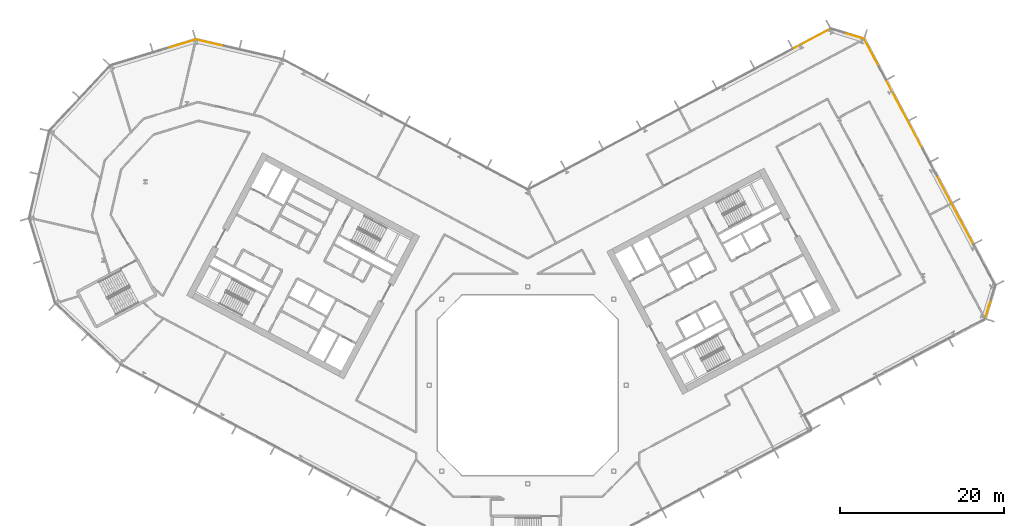
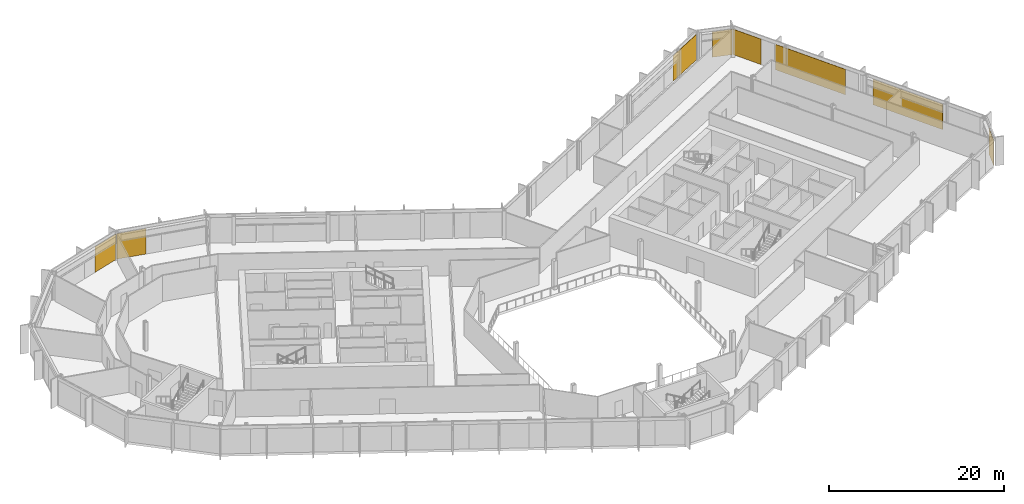
# One storey, part 28 of 28: 8 coverings, 6 elements without a shape of their own.
"""IFC4 building model written with IfcOpenShell, lengths in metres."""

from ifc_helpers import new_model, si_unit, direction, frame, origin, origin_2d, place, context, subcontext, project, spatial, rectangle, extrude, material, layer, layer_set, type_object, element, aggregate, save


model = new_model("IFC4")

# Units and contexts
model_context = context("Model", 3, precision=1e-05, world=origin(), true_north=direction((0.0, 1.0)))
body_context = subcontext(model_context, "Body", "Model", "MODEL_VIEW")
ifc_project = project(units=[si_unit("LENGTHUNIT", "METRE"), si_unit("AREAUNIT", "SQUARE_METRE"), si_unit("VOLUMEUNIT", "CUBIC_METRE"), si_unit("PLANEANGLEUNIT", "RADIAN"), si_unit("MASSUNIT", "GRAM", prefix="KILO")], contexts=[model_context])

# Site, building, storey
site_placement = place(None, origin())
site = spatial("IfcSite", under=ifc_project, at=site_placement, CompositionType="ELEMENT")
building_placement = place(site_placement, origin())
building = spatial("IfcBuilding", under=site, at=building_placement, Name="Cormorant Relay Tower", CompositionType="ELEMENT")
storey_placement = place(building_placement, frame((0.0, 0.0, 142.199951171875)))
storey = spatial("IfcBuildingStorey", under=building, at=storey_placement, Name="L29", CompositionType="ELEMENT", Elevation=142.199951171875)

# Curtain wall, covering
ifc_material_1 = material(Name="Aluminium 6063-T6 anodised bronze", Category="aluminium")
ifc_layer_1 = layer(ifc_material_1, 0.199951171875)
ifc_layer_set_1 = layer_set([ifc_layer_1], Name="CW1 unitised bronze curtain wall with vertical fins")
curtain_wall_type = type_object("IfcCurtainWallType", Name="CW1 unitised bronze curtain wall with vertical fins", PredefinedType="NOTDEFINED", material=ifc_layer_set_1)
curtain_wall_1_placement = place(storey_placement, origin())
curtain_wall_1 = element("IfcCurtainWall", 1, at=curtain_wall_1_placement, inside=storey, type_object=curtain_wall_type, Name="CW1 curtain wall 5", PredefinedType="NOTDEFINED")
ifc_material_2 = material(Name="Pale bronze anodised aluminium insulated panel", Category="aluminium")
ifc_layer_2 = layer(ifc_material_2, 0.0400390625)
ifc_layer_set_2 = layer_set([ifc_layer_2], Name="CW1 pale bronze insulated panel 40")
covering_type = type_object("IfcCoveringType", Name="CW1 pale bronze insulated panel 40", PredefinedType="CLADDING", material=ifc_layer_set_2)
covering_1_placement = place(storey_placement, frame((56.103515625, 9.303955078125, 0.0), z_axis=(0.0, 0.0, 1.0), x_axis=(0.292371704723, 0.956304755963, 0.0)))
covering_1 = element("IfcCovering", 2, at=covering_1_placement, type_object=covering_type, Name="CW1 panel S00", PredefinedType="CLADDING", context=body_context, shape_type="SweptSolid", body=[
    extrude(rectangle(XDim=2.36767578125, YDim=0.0400390625, at=origin_2d()), origin(), (0.0, 0.0, 1.0), 3.550048828125),
])
aggregate(curtain_wall_1, [covering_1])

# Curtain wall, coverings
curtain_wall_2_placement = place(storey_placement, origin())
curtain_wall_2 = element("IfcCurtainWall", 3, at=curtain_wall_2_placement, inside=storey, type_object=curtain_wall_type, Name="CW1 curtain wall 6", PredefinedType="NOTDEFINED")
covering_2_placement = place(storey_placement, frame((52.076171875, 21.384765625, 0.0), z_axis=(0.0, 0.0, 1.0), x_axis=(-0.469471562786, 0.882947592859, 0.0)))
covering_2 = element("IfcCovering", 4, at=covering_2_placement, type_object=covering_type, Name="CW1 panel S01", PredefinedType="CLADDING", context=body_context, shape_type="SweptSolid", body=[
    extrude(rectangle(XDim=9.38330078125, YDim=0.0400390625, at=origin_2d()), origin(), (0.0, 0.0, 1.0), 3.550048828125),
])
covering_3_placement = place(storey_placement, frame((45.910400390625, 32.980712890625, 0.0), z_axis=(0.0, 0.0, 1.0), x_axis=(-0.469471562786, 0.882947592859, 0.0)))
covering_3 = element("IfcCovering", 5, at=covering_3_placement, type_object=covering_type, Name="CW1 panel S04", PredefinedType="CLADDING", context=body_context, shape_type="SweptSolid", body=[
    extrude(rectangle(XDim=9.38330078125, YDim=0.0400390625, at=origin_2d()), origin(), (0.0, 0.0, 1.0), 3.550048828125),
])
covering_4_placement = place(storey_placement, frame((41.90234375, 40.518798828125, 0.0), z_axis=(0.0, 0.0, 1.0), x_axis=(-0.469471562786, 0.882947592859, 0.0)))
covering_4 = element("IfcCovering", 6, at=covering_4_placement, type_object=covering_type, Name="CW1 panel S06", PredefinedType="CLADDING", context=body_context, shape_type="SweptSolid", body=[
    extrude(rectangle(XDim=3.791748046875, YDim=0.0400390625, at=origin_2d()), origin(), (0.0, 0.0, 1.0), 3.550048828125),
])
aggregate(curtain_wall_2, [covering_2, covering_3, covering_4])

# Curtain wall, covering
curtain_wall_3_placement = place(storey_placement, origin())
curtain_wall_3 = element("IfcCurtainWall", 7, at=curtain_wall_3_placement, inside=storey, type_object=curtain_wall_type, Name="CW1 curtain wall 7", PredefinedType="NOTDEFINED")
covering_5_placement = place(storey_placement, frame((39.796630859375, 42.570556640625, 0.0), z_axis=(0.0, 0.0, 1.0), x_axis=(-0.956304755963, 0.292371704723, 0.0)))
covering_5 = element("IfcCovering", 8, at=covering_5_placement, type_object=covering_type, Name="CW1 panel S00", PredefinedType="CLADDING", context=body_context, shape_type="SweptSolid", body=[
    extrude(rectangle(XDim=2.36767578125, YDim=0.0400390625, at=origin_2d()), origin(), (0.0, 0.0, 1.0), 3.550048828125),
])
aggregate(curtain_wall_3, [covering_5])

curtain_wall_4_placement = place(storey_placement, origin())
curtain_wall_4 = element("IfcCurtainWall", 9, at=curtain_wall_4_placement, inside=storey, type_object=curtain_wall_type, Name="CW1 curtain wall 8", PredefinedType="NOTDEFINED")
covering_6_placement = place(storey_placement, frame((34.619384765625, 42.214111328125, 0.0), z_axis=(0.0, 0.0, 1.0), x_axis=(-0.882947592859, -0.469471562786, 0.0)))
covering_6 = element("IfcCovering", 10, at=covering_6_placement, type_object=covering_type, Name="CW1 panel S00", PredefinedType="CLADDING", context=body_context, shape_type="SweptSolid", body=[
    extrude(rectangle(XDim=5.079345703125, YDim=0.0400390625, at=origin_2d()), origin(), (0.0, 0.0, 1.0), 3.550048828125),
])
aggregate(curtain_wall_4, [covering_6])

curtain_wall_5_placement = place(storey_placement, origin())
curtain_wall_5 = element("IfcCurtainWall", 11, at=curtain_wall_5_placement, inside=storey, type_object=curtain_wall_type, Name="CW1 curtain wall 10", PredefinedType="NOTDEFINED")
covering_7_placement = place(storey_placement, frame((-38.7265625, 41.732421875, 0.0), z_axis=(0.0, 0.0, 1.0), x_axis=(-0.974370064785, 0.224951054344, 0.0)))
covering_7 = element("IfcCovering", 12, at=covering_7_placement, type_object=covering_type, Name="CW1 panel S02", PredefinedType="CLADDING", context=body_context, shape_type="SweptSolid", body=[
    extrude(rectangle(XDim=3.560302734375, YDim=0.0400390625, at=origin_2d()), origin(), (0.0, 0.0, 1.0), 3.550048828125),
])
aggregate(curtain_wall_5, [covering_7])

curtain_wall_6_placement = place(storey_placement, origin())
curtain_wall_6 = element("IfcCurtainWall", 13, at=curtain_wall_6_placement, inside=storey, type_object=curtain_wall_type, Name="CW1 curtain wall 11", PredefinedType="NOTDEFINED")
covering_8_placement = place(storey_placement, frame((-42.209716796875, 41.60107421875, 0.0), z_axis=(0.0, 0.0, 1.0), x_axis=(-0.956304755963, -0.292371704723, 0.0)))
covering_8 = element("IfcCovering", 14, at=covering_8_placement, type_object=covering_type, Name="CW1 panel S00", PredefinedType="CLADDING", context=body_context, shape_type="SweptSolid", body=[
    extrude(rectangle(XDim=3.485107421875, YDim=0.0400390625, at=origin_2d()), origin(), (0.0, 0.0, 1.0), 3.550048828125),
])
aggregate(curtain_wall_6, [covering_8])

save(model, "model.ifc")
